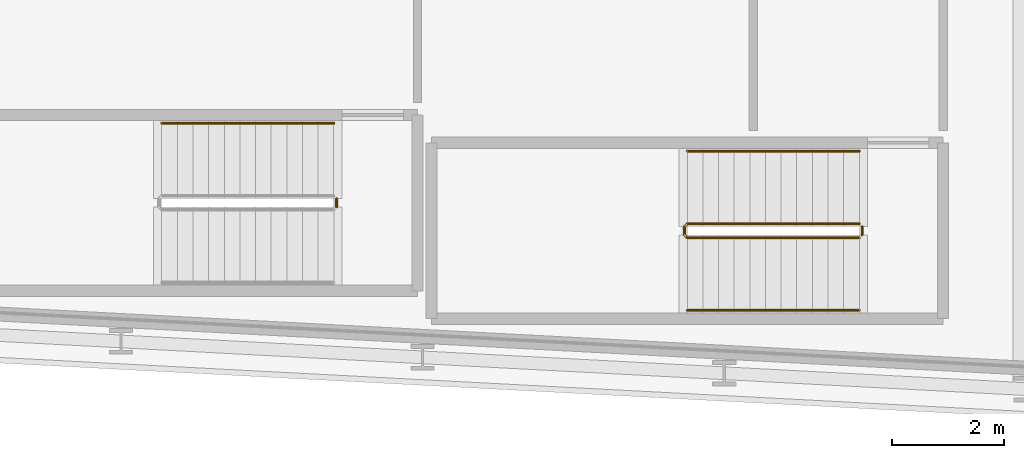
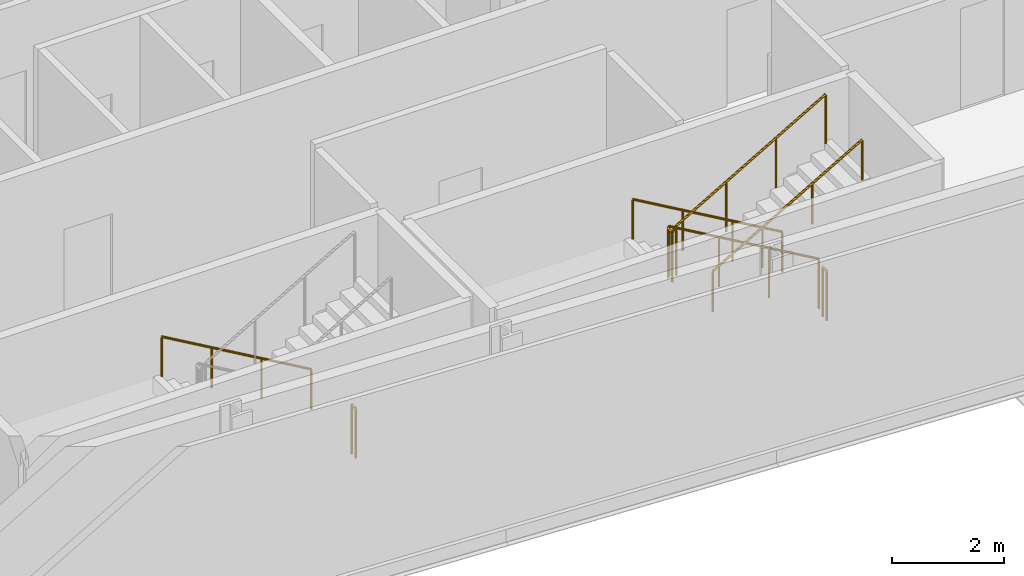
# One storey, part 25 of 28: 6 railings.
"""IFC4 building model written with IfcOpenShell, lengths in metres."""

from ifc_helpers import new_model, si_unit, direction, frame, origin, origin_2d, place, context, subcontext, project, spatial, circle, extrude, material, type_object, element, save


model = new_model("IFC4")

# Units and contexts
model_context = context("Model", 3, precision=1e-05, world=origin(), true_north=direction((0.0, 1.0)))
body_context = subcontext(model_context, "Body", "Model", "MODEL_VIEW")
ifc_project = project(units=[si_unit("LENGTHUNIT", "METRE"), si_unit("AREAUNIT", "SQUARE_METRE"), si_unit("VOLUMEUNIT", "CUBIC_METRE"), si_unit("PLANEANGLEUNIT", "RADIAN"), si_unit("MASSUNIT", "GRAM", prefix="KILO")], contexts=[model_context])

# Site, building, storey
site_placement = place(None, origin())
site = spatial("IfcSite", under=ifc_project, at=site_placement, CompositionType="ELEMENT")
building_placement = place(site_placement, origin())
building = spatial("IfcBuilding", under=site, at=building_placement, Name="Kheshtan School and Residences Tower", CompositionType="ELEMENT")
storey_placement = place(building_placement, frame((0.0, 0.0, 125.300048828125)))
storey = spatial("IfcBuildingStorey", under=building, at=storey_placement, Name="L29", CompositionType="ELEMENT", Elevation=125.300048828125)

# Railings
ifc_material_1 = material(Name="Stainless steel balustrade", Category="steel")
railing_type_1 = type_object("IfcRailingType", Name="Stair guard 1100", PredefinedType="GUARDRAIL", material=ifc_material_1)
railing_1_placement = place(storey_placement, frame((87.820068359375, 23.949951171875, 0.162353515625)))
element("IfcRailing", 1, at=railing_1_placement, inside=storey, type_object=railing_type_1, Name="L29 ST4 stair guard 1", PredefinedType="GUARDRAIL", context=body_context, shape_type="SweptSolid", body=[
    extrude(circle(Radius=0.02392578125, at=origin_2d()), frame((0.0, 0.0, 1.076171875), z_axis=(-0.864890721111, 0.0, 0.501960198159), x_axis=(0.0, -1.0, 0.0)), (0.0, 0.0, 1.0), 3.561279296875),
    extrude(circle(Radius=0.02392578125, at=origin_2d()), frame((-3.080078125, 0.0, 2.86376953125), z_axis=(-0.707106781187, -0.707106781187, 0.0), x_axis=(0.707106781187, -0.707106781187, 0.0)), (0.0, 0.0, 1.0), 0.07080078125),
    extrude(circle(Radius=0.02392578125, at=origin_2d()), frame((-3.130126953125, -0.050048828125, 2.86376953125), z_axis=(0.0, -1.0, 0.0), x_axis=(1.0, 0.0, 0.0)), (0.0, 0.0, 1.0), 0.14990234375),
    extrude(circle(Radius=0.02392578125, at=origin_2d()), frame((-3.130126953125, -0.199951171875, 2.86376953125), z_axis=(0.282227285176, -0.282227285176, 0.916894497205), x_axis=(0.707106781187, 0.707106781187, 0.0)), (0.0, 0.0, 1.0), 0.17724609375),
    extrude(circle(Radius=0.02392578125, at=origin_2d()), frame((-3.080078125, -0.25, 3.0263671875), z_axis=(0.864920483161, 0.0, 0.501908913857), x_axis=(0.0, 1.0, 0.0)), (0.0, 0.0, 1.0), 3.56103515625),
    extrude(circle(Radius=0.02099609375, at=origin_2d()), origin(), (0.0, 0.0, 1.0), 1.052001953125),
    extrude(circle(Radius=0.02099609375, at=origin_2d()), frame((-1.026611328125, 0.0, 0.595947265625)), (0.0, 0.0, 1.0), 1.052001953125),
    extrude(circle(Radius=0.02099609375, at=origin_2d()), frame((-2.053466796875, 0.0, 1.191650390625)), (0.0, 0.0, 1.0), 1.052001953125),
    extrude(circle(Radius=0.02099609375, at=origin_2d()), frame((-3.080078125, 0.0, 1.78759765625)), (0.0, 0.0, 1.0), 1.052001953125),
    extrude(circle(Radius=0.02099609375, at=origin_2d()), frame((-3.130126953125, -0.050048828125, 1.78759765625)), (0.0, 0.0, 1.0), 1.052001953125),
    extrude(circle(Radius=0.02099609375, at=origin_2d()), frame((-3.130126953125, -0.199951171875, 1.78759765625)), (0.0, 0.0, 1.0), 1.052001953125),
    extrude(circle(Radius=0.02099609375, at=origin_2d()), frame((-3.080078125, -0.25, 1.9501953125)), (0.0, 0.0, 1.0), 1.052001953125),
    extrude(circle(Radius=0.02099609375, at=origin_2d()), frame((-2.053466796875, -0.25, 2.5458984375)), (0.0, 0.0, 1.0), 1.052001953125),
    extrude(circle(Radius=0.02099609375, at=origin_2d()), frame((-1.026611328125, -0.25, 3.141845703125)), (0.0, 0.0, 1.0), 1.052001953125),
    extrude(circle(Radius=0.02099609375, at=origin_2d()), frame((0.0, -0.25, 3.737548828125)), (0.0, 0.0, 1.0), 1.052001953125),
])
for number, where, name in (
    (2, (87.8701171875, 23.89990234375, 0.0), "L29 ST4 stair guard 2"),
    (3, (78.4599609375, 24.39990234375, 0.0), "L29 ST5 stair guard 2"),
):
    element("IfcRailing", number, at=place(storey_placement, frame(where)), inside=storey, type_object=railing_type_1, Name=name, PredefinedType="GUARDRAIL", context=body_context, shape_type="SweptSolid", body=[
        extrude(circle(Radius=0.02392578125, at=origin_2d()), frame((0.0, 0.0, 1.076171875), z_axis=(0.0, -1.0, 0.0), x_axis=(1.0, 0.0, 0.0)), (0.0, 0.0, 1.0), 0.14990234375),
        extrude(circle(Radius=0.02099609375, at=origin_2d()), origin(), (0.0, 0.0, 1.0), 1.052001953125),
        extrude(circle(Radius=0.02099609375, at=origin_2d()), frame((0.0, -0.14990234375, 0.0)), (0.0, 0.0, 1.0), 1.052001953125),
    ])
ifc_material_2 = material(Name="Stainless steel handrail", Category="steel")
railing_type_2 = type_object("IfcRailingType", Name="Stair handrail 900", PredefinedType="HANDRAIL", material=ifc_material_2)
railing_2_placement = place(storey_placement, frame((87.820068359375, 25.25, 0.162353515625)))
element("IfcRailing", 4, at=railing_2_placement, inside=storey, type_object=railing_type_2, Name="L29 ST4 stair handrail 1", PredefinedType="HANDRAIL", context=body_context, shape_type="SweptSolid", body=[
    extrude(circle(Radius=0.02392578125, at=origin_2d()), frame((0.0, 0.0, 0.8759765625), z_axis=(-0.864890721111, 0.0, 0.501960198159), x_axis=(0.0, -1.0, 0.0)), (0.0, 0.0, 1.0), 3.561279296875),
    extrude(circle(Radius=0.02099609375, at=origin_2d()), origin(), (0.0, 0.0, 1.0), 0.851806640625),
    extrude(circle(Radius=0.02099609375, at=origin_2d()), frame((-1.026611328125, 0.0, 0.595947265625)), (0.0, 0.0, 1.0), 0.851806640625),
    extrude(circle(Radius=0.02099609375, at=origin_2d()), frame((-2.053466796875, 0.0, 1.191650390625)), (0.0, 0.0, 1.0), 0.851806640625),
    extrude(circle(Radius=0.02099609375, at=origin_2d()), frame((-3.080078125, 0.0, 1.78759765625)), (0.0, 0.0, 1.0), 0.851806640625),
])
railing_3_placement = place(storey_placement, frame((84.739990234375, 22.39990234375, 2.112548828125)))
element("IfcRailing", 5, at=railing_3_placement, inside=storey, type_object=railing_type_2, Name="L29 ST4 stair handrail 2", PredefinedType="HANDRAIL", context=body_context, shape_type="SweptSolid", body=[
    extrude(circle(Radius=0.02392578125, at=origin_2d()), frame((0.0, 0.0, 0.8759765625), z_axis=(0.864920483161, 0.0, 0.501908913857), x_axis=(0.0, 1.0, 0.0)), (0.0, 0.0, 1.0), 3.56103515625),
    extrude(circle(Radius=0.02099609375, at=origin_2d()), origin(), (0.0, 0.0, 1.0), 0.851806640625),
    extrude(circle(Radius=0.02099609375, at=origin_2d()), frame((1.026611328125, 0.0, 0.595703125)), (0.0, 0.0, 1.0), 0.851806640625),
    extrude(circle(Radius=0.02099609375, at=origin_2d()), frame((2.053466796875, 0.0, 1.191650390625)), (0.0, 0.0, 1.0), 0.851806640625),
    extrude(circle(Radius=0.02099609375, at=origin_2d()), frame((3.080078125, 0.0, 1.787353515625)), (0.0, 0.0, 1.0), 0.851806640625),
])
railing_4_placement = place(storey_placement, frame((78.409912109375, 25.75, 0.162353515625)))
element("IfcRailing", 6, at=railing_4_placement, inside=storey, type_object=railing_type_2, Name="L29 ST5 stair handrail 1", PredefinedType="HANDRAIL", context=body_context, shape_type="SweptSolid", body=[
    extrude(circle(Radius=0.02392578125, at=origin_2d()), frame((0.0, 0.0, 0.8759765625), z_axis=(-0.864873446163, 0.0, 0.501989962173), x_axis=(0.0, -1.0, 0.0)), (0.0, 0.0, 1.0), 3.56103515625),
    extrude(circle(Radius=0.02099609375, at=origin_2d()), origin(), (0.0, 0.0, 1.0), 0.851806640625),
    extrude(circle(Radius=0.02099609375, at=origin_2d()), frame((-1.026611328125, 0.0, 0.595947265625)), (0.0, 0.0, 1.0), 0.851806640625),
    extrude(circle(Radius=0.02099609375, at=origin_2d()), frame((-2.05322265625, 0.0, 1.191650390625)), (0.0, 0.0, 1.0), 0.851806640625),
    extrude(circle(Radius=0.02099609375, at=origin_2d()), frame((-3.079833984375, 0.0, 1.78759765625)), (0.0, 0.0, 1.0), 0.851806640625),
])

save(model, "model.ifc")
